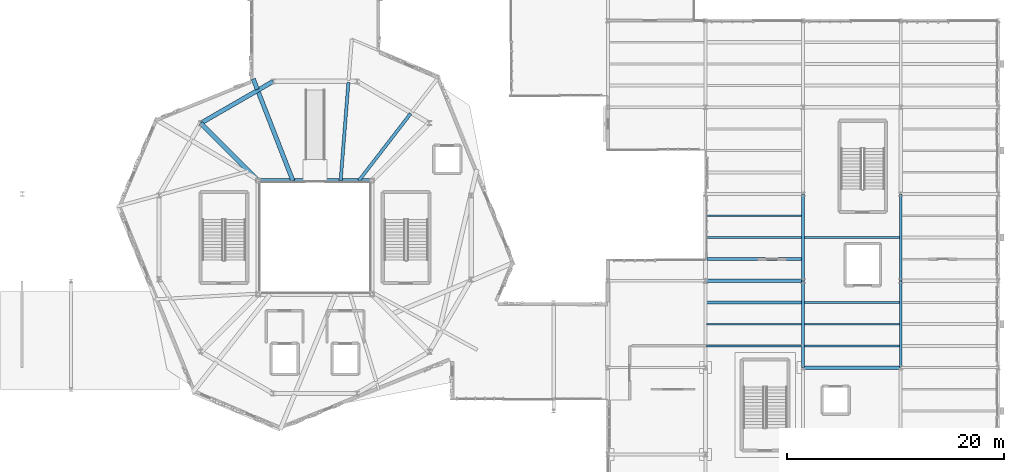
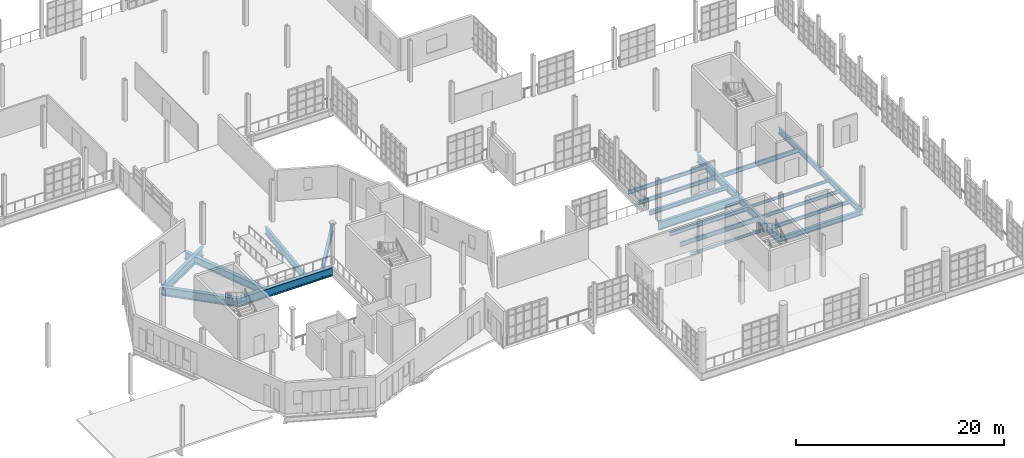
# One storey, part 29 of 122: 23 beams.
"""IFC4 building model written with IfcOpenShell, lengths in metres."""

from ifc_helpers import new_model, si_unit, direction, frame, origin, origin_2d, place, context, subcontext, project, spatial, i_section, extrude, material, material_profile, profile_set, type_object, element, save


model = new_model("IFC4")

# Units and contexts
model_context = context("Model", 3, precision=1e-05, world=origin(), true_north=direction((0.0, 1.0)))
body_context = subcontext(model_context, "Body", "Model", "MODEL_VIEW")
ifc_project = project(units=[si_unit("LENGTHUNIT", "METRE"), si_unit("AREAUNIT", "SQUARE_METRE"), si_unit("VOLUMEUNIT", "CUBIC_METRE"), si_unit("PLANEANGLEUNIT", "RADIAN"), si_unit("MASSUNIT", "GRAM", prefix="KILO"), si_unit("THERMODYNAMICTEMPERATUREUNIT", "KELVIN"), si_unit("POWERUNIT", "WATT")], contexts=[model_context])

# Site, building, storey
site_placement = place(None, origin())
site = spatial("IfcSite", under=ifc_project, at=site_placement, CompositionType="ELEMENT")
building_placement = place(site_placement, origin())
building = spatial("IfcBuilding", under=site, at=building_placement, Name="Zelmaris Science Centre", CompositionType="ELEMENT")
storey_placement = place(building_placement, frame((0.0, 0.0, 10.800048828125)))
storey = spatial("IfcBuildingStorey", under=building, at=storey_placement, Name="L02", CompositionType="ELEMENT", Elevation=10.800048828125)

# Beams
ifc_material = material(Name="Steel ASTM A992 Grade 50", Category="steel")
ifc_material_profile_1 = material_profile(ifc_material, i_section(OverallWidth=0.306884765625, OverallDepth=0.927001953125, WebThickness=0.019287109375, FlangeThickness=0.031982421875, FilletRadius=0.02392578125, at=origin_2d()), Name="W36X194")
ifc_profile_set_1 = profile_set([ifc_material_profile_1], Name="Steel ASTM A992 Grade 50")
beam_type_1 = type_object("IfcBeamType", Name="Beam G-03 W36X194", PredefinedType="BEAM", material=ifc_profile_set_1)
beam_1_placement = place(storey_placement, frame((126.0, 24.0, -0.7236328125), z_axis=(0.0, 1.0, 0.0), x_axis=(-1.0, 0.0, 0.0)))
element("IfcBeam", 1, at=beam_1_placement, inside=storey, type_object=beam_type_1, Name="L02 North-south girder 527", PredefinedType="BEAM", context=body_context, shape_type="SweptSolid", body=[
    extrude(i_section(OverallWidth=0.306884765625, OverallDepth=0.927001953125, WebThickness=0.019287109375, FlangeThickness=0.031982421875, FilletRadius=0.02392578125, at=origin_2d()), origin(), (0.0, 0.0, 1.0), 8.0),
])
beam_2_placement = place(storey_placement, frame((117.0, 32.0, -0.7236328125), z_axis=(1.0, 0.0, 0.0), x_axis=(0.0, 1.0, 0.0)))
element("IfcBeam", 2, at=beam_2_placement, inside=storey, type_object=beam_type_1, Name="L02 East-west girder 558", PredefinedType="BEAM", context=body_context, shape_type="SweptSolid", body=[
    extrude(i_section(OverallWidth=0.306884765625, OverallDepth=0.927001953125, WebThickness=0.019287109375, FlangeThickness=0.031982421875, FilletRadius=0.02392578125, at=origin_2d()), origin(), (0.0, 0.0, 1.0), 9.0),
])
ifc_material_profile_2 = material_profile(ifc_material, i_section(OverallWidth=0.304931640625, OverallDepth=0.9140625, WebThickness=0.0166015625, FlangeThickness=0.02587890625, FilletRadius=0.02392578125, at=origin_2d()), Name="W36X160")
ifc_profile_set_2 = profile_set([ifc_material_profile_2], Name="Steel ASTM A992 Grade 50")
beam_type_2 = type_object("IfcBeamType", Name="Beam G-04 W36X160", PredefinedType="BEAM", material=ifc_profile_set_2)
beam_3_placement = place(storey_placement, frame((126.0, 32.0, -0.717041015625), z_axis=(0.0, 1.0, 0.0), x_axis=(-1.0, 0.0, 0.0)))
element("IfcBeam", 3, at=beam_3_placement, inside=storey, type_object=beam_type_2, Name="L02 North-south girder 528", PredefinedType="BEAM", context=body_context, shape_type="SweptSolid", body=[
    extrude(i_section(OverallWidth=0.304931640625, OverallDepth=0.9140625, WebThickness=0.0166015625, FlangeThickness=0.02587890625, FilletRadius=0.02392578125, at=origin_2d()), origin(), (0.0, 0.0, 1.0), 8.0),
])
ifc_material_profile_3 = material_profile(ifc_material, i_section(OverallWidth=0.40087890625, OverallDepth=0.85595703125, WebThickness=0.018310546875, FlangeThickness=0.029296875, FilletRadius=0.02001953125, at=origin_2d()), Name="W33X201")
ifc_profile_set_3 = profile_set([ifc_material_profile_3], Name="Steel ASTM A992 Grade 50")
beam_type_3 = type_object("IfcBeamType", Name="Beam G-05 W33X201", PredefinedType="BEAM", material=ifc_profile_set_3)
beam_4_placement = place(storey_placement, frame((78.95361328125, 41.25, -0.72802734375), z_axis=(-0.363186643896, 0.931716406261, 0.0), x_axis=(-0.931716406261, -0.363186643896, 0.0)))
element("IfcBeam", 4, at=beam_4_placement, inside=storey, type_object=beam_type_3, Name="L02 Overhang back-span girder 8", PredefinedType="BEAM", context=body_context, shape_type="SweptSolid", body=[
    extrude(i_section(OverallWidth=0.40087890625, OverallDepth=0.85595703125, WebThickness=0.018310546875, FlangeThickness=0.029296875, FilletRadius=0.02001953125, at=origin_2d()), origin(), (0.0, 0.0, 1.0), 8.830322265625),
])
beam_5_placement = place(storey_placement, frame((75.677490234375, 49.654296875, -0.72802734375), z_axis=(-0.363089174148, 0.931754394471, 0.0), x_axis=(-0.931754394471, -0.363089174148, 0.0)))
element("IfcBeam", 5, at=beam_5_placement, inside=storey, type_object=beam_type_3, Name="L02 Radial overhang girder 8", PredefinedType="BEAM", context=body_context, shape_type="SweptSolid", body=[
    extrude(i_section(OverallWidth=0.40087890625, OverallDepth=0.85595703125, WebThickness=0.018310546875, FlangeThickness=0.029296875, FilletRadius=0.02001953125, at=origin_2d()), origin(), (0.0, 0.0, 1.0), 1.026123046875),
])
ifc_material_profile_4 = material_profile(ifc_material, i_section(OverallWidth=0.294921875, OverallDepth=0.85107421875, WebThickness=0.01611328125, FlangeThickness=0.02685546875, FilletRadius=0.02001953125, at=origin_2d()), Name="W33X152")
ifc_profile_set_4 = profile_set([ifc_material_profile_4], Name="Steel ASTM A992 Grade 50")
beam_type_4 = type_object("IfcBeamType", Name="Beam G-06 W33X152", PredefinedType="BEAM", material=ifc_profile_set_4)
beam_6_placement = place(storey_placement, frame((85.05078125, 41.25, -0.7255859375), z_axis=(0.610907225778, 0.791702192426, 0.0), x_axis=(-0.791702192426, 0.610907225778, 0.0)))
element("IfcBeam", 6, at=beam_6_placement, inside=storey, type_object=beam_type_4, Name="L02 Overhang back-span girder 6", PredefinedType="BEAM", context=body_context, shape_type="SweptSolid", body=[
    extrude(i_section(OverallWidth=0.294921875, OverallDepth=0.85107421875, WebThickness=0.01611328125, FlangeThickness=0.02685546875, FilletRadius=0.02001953125, at=origin_2d()), origin(), (0.0, 0.0, 1.0), 7.795654296875),
])
ifc_material_profile_5 = material_profile(ifc_material, i_section(OverallWidth=0.257080078125, OverallDepth=0.693115234375, WebThickness=0.014404296875, FlangeThickness=0.023681640625, FilletRadius=0.01806640625, at=origin_2d()), Name="W27X114")
ifc_profile_set_5 = profile_set([ifc_material_profile_5], Name="Steel ASTM A992 Grade 50")
beam_type_5 = type_object("IfcBeamType", Name="Beam G-12 W27X114", PredefinedType="BEAM", material=ifc_profile_set_5)
beam_7_placement = place(storey_placement, frame((135.0, 24.0, -0.6064453125), z_axis=(0.0, 1.0, 0.0), x_axis=(-1.0, 0.0, 0.0)))
element("IfcBeam", 7, at=beam_7_placement, inside=storey, type_object=beam_type_5, Name="L02 North-south girder 533", PredefinedType="BEAM", context=body_context, shape_type="SweptSolid", body=[
    extrude(i_section(OverallWidth=0.257080078125, OverallDepth=0.693115234375, WebThickness=0.014404296875, FlangeThickness=0.023681640625, FilletRadius=0.01806640625, at=origin_2d()), origin(), (0.0, 0.0, 1.0), 8.0),
])
ifc_material_profile_6 = material_profile(ifc_material, i_section(OverallWidth=0.25390625, OverallDepth=0.68310546875, WebThickness=0.012451171875, FlangeThickness=0.018798828125, FilletRadius=0.01806640625, at=origin_2d()), Name="W27X94")
ifc_profile_set_6 = profile_set([ifc_material_profile_6], Name="Steel ASTM A992 Grade 50")
beam_type_6 = type_object("IfcBeamType", Name="Beam G-13 W27X94", PredefinedType="BEAM", material=ifc_profile_set_6)
beam_8_placement = place(storey_placement, frame((135.0, 32.0, -0.6015625), z_axis=(0.0, 1.0, 0.0), x_axis=(-1.0, 0.0, 0.0)))
element("IfcBeam", 8, at=beam_8_placement, inside=storey, type_object=beam_type_6, Name="L02 North-south girder 534", PredefinedType="BEAM", context=body_context, shape_type="SweptSolid", body=[
    extrude(i_section(OverallWidth=0.25390625, OverallDepth=0.68310546875, WebThickness=0.012451171875, FlangeThickness=0.018798828125, FilletRadius=0.01806640625, at=origin_2d()), origin(), (0.0, 0.0, 1.0), 8.0),
])
ifc_material_profile_7 = material_profile(ifc_material, i_section(OverallWidth=0.40087890625, OverallDepth=1.0009765625, WebThickness=0.01904296875, FlangeThickness=0.0361328125, FilletRadius=0.02490234375, at=origin_2d()), Name="W40X249")
ifc_profile_set_7 = profile_set([ifc_material_profile_7], Name="Steel ASTM A992 Grade 50")
beam_type_7 = type_object("IfcBeamType", Name="Beam G-22 W40X249", PredefinedType="BEAM", material=ifc_profile_set_7)
beam_9_placement = place(storey_placement, frame((77.1435546875, 50.392333984375, -0.800537109375), z_axis=(-0.866021648359, -0.500006504531, 0.0), x_axis=(0.500006504531, -0.866021648359, 0.0)))
element("IfcBeam", 9, at=beam_9_placement, inside=storey, type_object=beam_type_7, Name="L02 Exhibition inner ring girder 4", PredefinedType="BEAM", context=body_context, shape_type="SweptSolid", body=[
    extrude(i_section(OverallWidth=0.40087890625, OverallDepth=1.0009765625, WebThickness=0.01904296875, FlangeThickness=0.0361328125, FilletRadius=0.02490234375, at=origin_2d()), origin(), (0.0, 0.0, 1.0), 7.712890625),
])
beam_10_placement = place(storey_placement, frame((86.25, 41.25, -0.800537109375), z_axis=(-1.0, 0.0, 0.0), x_axis=(0.0, -1.0, 0.0)))
element("IfcBeam", 10, at=beam_10_placement, inside=storey, type_object=beam_type_7, Name="L02 Atrium framing girder 3", PredefinedType="BEAM", context=body_context, shape_type="SweptSolid", body=[
    extrude(i_section(OverallWidth=0.40087890625, OverallDepth=1.0009765625, WebThickness=0.01904296875, FlangeThickness=0.0361328125, FilletRadius=0.02490234375, at=origin_2d()), origin(), (0.0, 0.0, 1.0), 10.5),
])
beam_11_placement = place(storey_placement, frame((75.75, 41.25, -0.800537109375), z_axis=(-0.707106781187, 0.707106781187, 0.0), x_axis=(-0.707106781187, -0.707106781187, 0.0)))
element("IfcBeam", 11, at=beam_11_placement, inside=storey, type_object=beam_type_7, Name="L02 Atrium diagonal header girder 4", PredefinedType="BEAM", context=body_context, shape_type="SweptSolid", body=[
    extrude(i_section(OverallWidth=0.40087890625, OverallDepth=1.0009765625, WebThickness=0.01904296875, FlangeThickness=0.0361328125, FilletRadius=0.02490234375, at=origin_2d()), origin(), (0.0, 0.0, 1.0), 7.475341796875),
])
ifc_material_profile_8 = material_profile(ifc_material, i_section(OverallWidth=0.2919921875, OverallDepth=0.85888671875, WebThickness=0.01708984375, FlangeThickness=0.031005859375, FilletRadius=0.02001953125, at=origin_2d()), Name="W33X169")
ifc_profile_set_8 = profile_set([ifc_material_profile_8], Name="Steel ASTM A992 Grade 50")
beam_type_8 = type_object("IfcBeamType", Name="Beam G-29 W33X169", PredefinedType="BEAM", material=ifc_profile_set_8)
beam_12_placement = place(storey_placement, frame((83.363525390625, 41.25, -0.7294921875), z_axis=(0.078630022465, 0.996903866763, 0.0), x_axis=(-0.996903866763, 0.078630022465, 0.0)))
element("IfcBeam", 12, at=beam_12_placement, inside=storey, type_object=beam_type_8, Name="L02 Overhang back-span girder 7", PredefinedType="BEAM", context=body_context, shape_type="SweptSolid", body=[
    extrude(i_section(OverallWidth=0.2919921875, OverallDepth=0.85888671875, WebThickness=0.01708984375, FlangeThickness=0.031005859375, FilletRadius=0.02001953125, at=origin_2d()), origin(), (0.0, 0.0, 1.0), 9.07568359375),
])
ifc_material_profile_9 = material_profile(ifc_material, i_section(OverallWidth=0.31201171875, OverallDepth=0.5458984375, WebThickness=0.013916015625, FlangeThickness=0.022216796875, FilletRadius=0.013916015625, at=origin_2d()), Name="W21X111")
ifc_profile_set_9 = profile_set([ifc_material_profile_9], Name="Steel ASTM A992 Grade 50")
beam_type_9 = type_object("IfcBeamType", Name="Beam G-39 W21X111", PredefinedType="BEAM", material=ifc_profile_set_9)
beam_13_placement = place(storey_placement, frame((126.0, 24.0, -0.532958984375), z_axis=(1.0, 0.0, 0.0), x_axis=(0.0, 1.0, 0.0)))
element("IfcBeam", 13, at=beam_13_placement, inside=storey, type_object=beam_type_9, Name="L02 East-west girder 555", PredefinedType="BEAM", context=body_context, shape_type="SweptSolid", body=[
    extrude(i_section(OverallWidth=0.31201171875, OverallDepth=0.5458984375, WebThickness=0.013916015625, FlangeThickness=0.022216796875, FilletRadius=0.013916015625, at=origin_2d()), origin(), (0.0, 0.0, 1.0), 9.0),
])
ifc_material_profile_10 = material_profile(ifc_material, i_section(OverallWidth=0.16796875, OverallDepth=0.532958984375, WebThickness=0.01025390625, FlangeThickness=0.0166015625, FilletRadius=0.013916015625, at=origin_2d()), Name="W21X57")
ifc_profile_set_10 = profile_set([ifc_material_profile_10], Name="Steel ASTM A992 Grade 50")
beam_type_10 = type_object("IfcBeamType", Name="Beam J-01 W21X57", PredefinedType="JOIST", material=ifc_profile_set_10)
beam_14_placement = place(storey_placement, frame((117.112060546875, 28.0, -0.526611328125), z_axis=(1.0, 0.0, 0.0), x_axis=(0.0, 1.0, 0.0)))
element("IfcBeam", 14, at=beam_14_placement, inside=storey, type_object=beam_type_10, Name="L02 Composite floor joist 279", PredefinedType="JOIST", context=body_context, shape_type="SweptSolid", body=[
    extrude(i_section(OverallWidth=0.16796875, OverallDepth=0.532958984375, WebThickness=0.01025390625, FlangeThickness=0.0166015625, FilletRadius=0.013916015625, at=origin_2d()), origin(), (0.0, 0.0, 1.0), 8.74951171875),
])
beam_15_placement = place(storey_placement, frame((126.137451171875, 36.0, -0.526611328125), z_axis=(1.0, 0.0, 0.0), x_axis=(0.0, 1.0, 0.0)))
element("IfcBeam", 15, at=beam_15_placement, inside=storey, type_object=beam_type_10, Name="L02 Composite floor joist 297", PredefinedType="JOIST", context=body_context, shape_type="SweptSolid", body=[
    extrude(i_section(OverallWidth=0.16796875, OverallDepth=0.532958984375, WebThickness=0.01025390625, FlangeThickness=0.0166015625, FilletRadius=0.013916015625, at=origin_2d()), origin(), (0.0, 0.0, 1.0), 8.75048828125),
])
ifc_material_profile_11 = material_profile(ifc_material, i_section(OverallWidth=0.281982421875, OverallDepth=0.471923828125, WebThickness=0.013671875, FlangeThickness=0.022216796875, FilletRadius=0.012939453125, at=origin_2d()), Name="W18X97")
ifc_profile_set_11 = profile_set([ifc_material_profile_11], Name="Steel ASTM A992 Grade 50")
beam_type_11 = type_object("IfcBeamType", Name="Beam J-02 W18X97", PredefinedType="JOIST", material=ifc_profile_set_11)
beam_16_placement = place(storey_placement, frame((117.112060546875, 30.0, -0.49609375), z_axis=(1.0, 0.0, 0.0), x_axis=(0.0, 1.0, 0.0)))
element("IfcBeam", 16, at=beam_16_placement, inside=storey, type_object=beam_type_11, Name="L02 Composite floor joist 280", PredefinedType="JOIST", context=body_context, shape_type="SweptSolid", body=[
    extrude(i_section(OverallWidth=0.281982421875, OverallDepth=0.471923828125, WebThickness=0.013671875, FlangeThickness=0.022216796875, FilletRadius=0.012939453125, at=origin_2d()), origin(), (0.0, 0.0, 1.0), 8.74951171875),
])
ifc_material_profile_12 = material_profile(ifc_material, i_section(OverallWidth=0.279052734375, OverallDepth=0.4619140625, WebThickness=0.0107421875, FlangeThickness=0.017333984375, FilletRadius=0.012939453125, at=origin_2d()), Name="W18X76")
ifc_profile_set_12 = profile_set([ifc_material_profile_12], Name="Steel ASTM A992 Grade 50")
beam_type_12 = type_object("IfcBeamType", Name="Beam J-03 W18X76", PredefinedType="JOIST", material=ifc_profile_set_12)
beam_17_placement = place(storey_placement, frame((117.14892578125, 34.0, -0.490966796875), z_axis=(1.0, 0.0, 0.0), x_axis=(0.0, 1.0, 0.0)))
element("IfcBeam", 17, at=beam_17_placement, inside=storey, type_object=beam_type_12, Name="L02 Composite floor joist 281", PredefinedType="JOIST", context=body_context, shape_type="SweptSolid", body=[
    extrude(i_section(OverallWidth=0.279052734375, OverallDepth=0.4619140625, WebThickness=0.0107421875, FlangeThickness=0.017333984375, FilletRadius=0.012939453125, at=origin_2d()), origin(), (0.0, 0.0, 1.0), 8.713623046875),
])
ifc_material_profile_13 = material_profile(ifc_material, i_section(OverallWidth=0.19091796875, OverallDepth=0.4599609375, WebThickness=0.010009765625, FlangeThickness=0.01611328125, FilletRadius=0.012939453125, at=origin_2d()), Name="W18X55")
ifc_profile_set_13 = profile_set([ifc_material_profile_13], Name="Steel ASTM A992 Grade 50")
beam_type_13 = type_object("IfcBeamType", Name="Beam J-04 W18X55", PredefinedType="JOIST", material=ifc_profile_set_13)
beam_18_placement = place(storey_placement, frame((117.14892578125, 36.0, -0.489990234375), z_axis=(1.0, 0.0, 0.0), x_axis=(0.0, 1.0, 0.0)))
element("IfcBeam", 18, at=beam_18_placement, inside=storey, type_object=beam_type_13, Name="L02 Composite floor joist 282", PredefinedType="JOIST", context=body_context, shape_type="SweptSolid", body=[
    extrude(i_section(OverallWidth=0.19091796875, OverallDepth=0.4599609375, WebThickness=0.010009765625, FlangeThickness=0.01611328125, FilletRadius=0.012939453125, at=origin_2d()), origin(), (0.0, 0.0, 1.0), 8.713623046875),
])
ifc_material_profile_14 = material_profile(ifc_material, i_section(OverallWidth=0.152099609375, OverallDepth=0.455078125, WebThickness=0.008056640625, FlangeThickness=0.01318359375, FilletRadius=0.012939453125, at=origin_2d()), Name="W18X40")
ifc_profile_set_14 = profile_set([ifc_material_profile_14], Name="Steel ASTM A992 Grade 50")
beam_type_14 = type_object("IfcBeamType", Name="Beam J-05 W18X40", PredefinedType="JOIST", material=ifc_profile_set_14)
beam_19_placement = place(storey_placement, frame((117.14892578125, 38.0, -0.487548828125), z_axis=(1.0, 0.0, 0.0), x_axis=(0.0, 1.0, 0.0)))
element("IfcBeam", 19, at=beam_19_placement, inside=storey, type_object=beam_type_14, Name="L02 Composite floor joist 283", PredefinedType="JOIST", context=body_context, shape_type="SweptSolid", body=[
    extrude(i_section(OverallWidth=0.152099609375, OverallDepth=0.455078125, WebThickness=0.008056640625, FlangeThickness=0.01318359375, FilletRadius=0.012939453125, at=origin_2d()), origin(), (0.0, 0.0, 1.0), 8.713623046875),
])
ifc_material_profile_15 = material_profile(ifc_material, i_section(OverallWidth=0.177978515625, OverallDepth=0.408935546875, WebThickness=0.0087890625, FlangeThickness=0.014404296875, FilletRadius=0.011962890625, at=origin_2d()), Name="W16X45")
ifc_profile_set_15 = profile_set([ifc_material_profile_15], Name="Steel ASTM A992 Grade 50")
beam_type_15 = type_object("IfcBeamType", Name="Beam J-07 W16X45", PredefinedType="JOIST", material=ifc_profile_set_15)
beam_20_placement = place(storey_placement, frame((126.138427734375, 26.0, -0.464599609375), z_axis=(1.0, 0.0, 0.0), x_axis=(0.0, 1.0, 0.0)))
element("IfcBeam", 20, at=beam_20_placement, inside=storey, type_object=beam_type_15, Name="L02 Composite floor joist 294", PredefinedType="JOIST", context=body_context, shape_type="SweptSolid", body=[
    extrude(i_section(OverallWidth=0.177978515625, OverallDepth=0.408935546875, WebThickness=0.0087890625, FlangeThickness=0.014404296875, FilletRadius=0.011962890625, at=origin_2d()), origin(), (0.0, 0.0, 1.0), 8.748046875),
])
ifc_material_profile_16 = material_profile(ifc_material, i_section(OverallWidth=0.139892578125, OverallDepth=0.404052734375, WebThickness=0.007080078125, FlangeThickness=0.01123046875, FilletRadius=0.011962890625, at=origin_2d()), Name="W16X31")
ifc_profile_set_16 = profile_set([ifc_material_profile_16], Name="Steel ASTM A992 Grade 50")
beam_type_16 = type_object("IfcBeamType", Name="Beam J-08 W16X31", PredefinedType="JOIST", material=ifc_profile_set_16)
beam_21_placement = place(storey_placement, frame((126.138427734375, 28.0, -0.462158203125), z_axis=(1.0, 0.0, 0.0), x_axis=(0.0, 1.0, 0.0)))
element("IfcBeam", 21, at=beam_21_placement, inside=storey, type_object=beam_type_16, Name="L02 Composite floor joist 295", PredefinedType="JOIST", context=body_context, shape_type="SweptSolid", body=[
    extrude(i_section(OverallWidth=0.139892578125, OverallDepth=0.404052734375, WebThickness=0.007080078125, FlangeThickness=0.01123046875, FilletRadius=0.011962890625, at=origin_2d()), origin(), (0.0, 0.0, 1.0), 8.748046875),
])
ifc_material_profile_17 = material_profile(ifc_material, i_section(OverallWidth=0.1669921875, OverallDepth=0.318115234375, WebThickness=0.007568359375, FlangeThickness=0.01318359375, FilletRadius=0.011962890625, at=origin_2d()), Name="W12X35")
ifc_profile_set_17 = profile_set([ifc_material_profile_17], Name="Steel ASTM A992 Grade 50")
beam_type_17 = type_object("IfcBeamType", Name="Beam J-09 W12X35", PredefinedType="JOIST", material=ifc_profile_set_17)
beam_22_placement = place(storey_placement, frame((117.112060546875, 26.0, -0.4189453125), z_axis=(1.0, 0.0, 0.0), x_axis=(0.0, 1.0, 0.0)))
element("IfcBeam", 22, at=beam_22_placement, inside=storey, type_object=beam_type_17, Name="L02 Composite floor joist 278", PredefinedType="JOIST", context=body_context, shape_type="SweptSolid", body=[
    extrude(i_section(OverallWidth=0.1669921875, OverallDepth=0.318115234375, WebThickness=0.007568359375, FlangeThickness=0.01318359375, FilletRadius=0.011962890625, at=origin_2d()), origin(), (0.0, 0.0, 1.0), 8.74951171875),
])
beam_23_placement = place(storey_placement, frame((126.138427734375, 30.0, -0.4189453125), z_axis=(1.0, 0.0, 0.0), x_axis=(0.0, 1.0, 0.0)))
element("IfcBeam", 23, at=beam_23_placement, inside=storey, type_object=beam_type_17, Name="L02 Composite floor joist 296", PredefinedType="JOIST", context=body_context, shape_type="SweptSolid", body=[
    extrude(i_section(OverallWidth=0.1669921875, OverallDepth=0.318115234375, WebThickness=0.007568359375, FlangeThickness=0.01318359375, FilletRadius=0.011962890625, at=origin_2d()), origin(), (0.0, 0.0, 1.0), 8.748046875),
])

save(model, "model.ifc")
